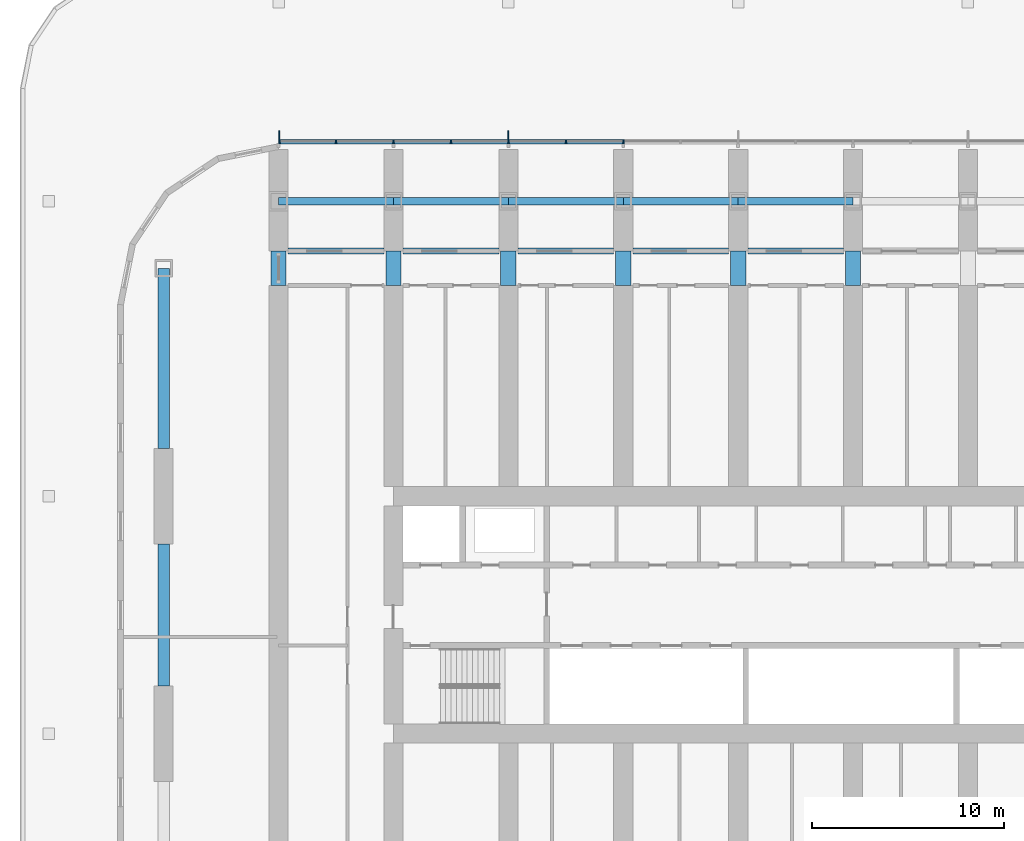
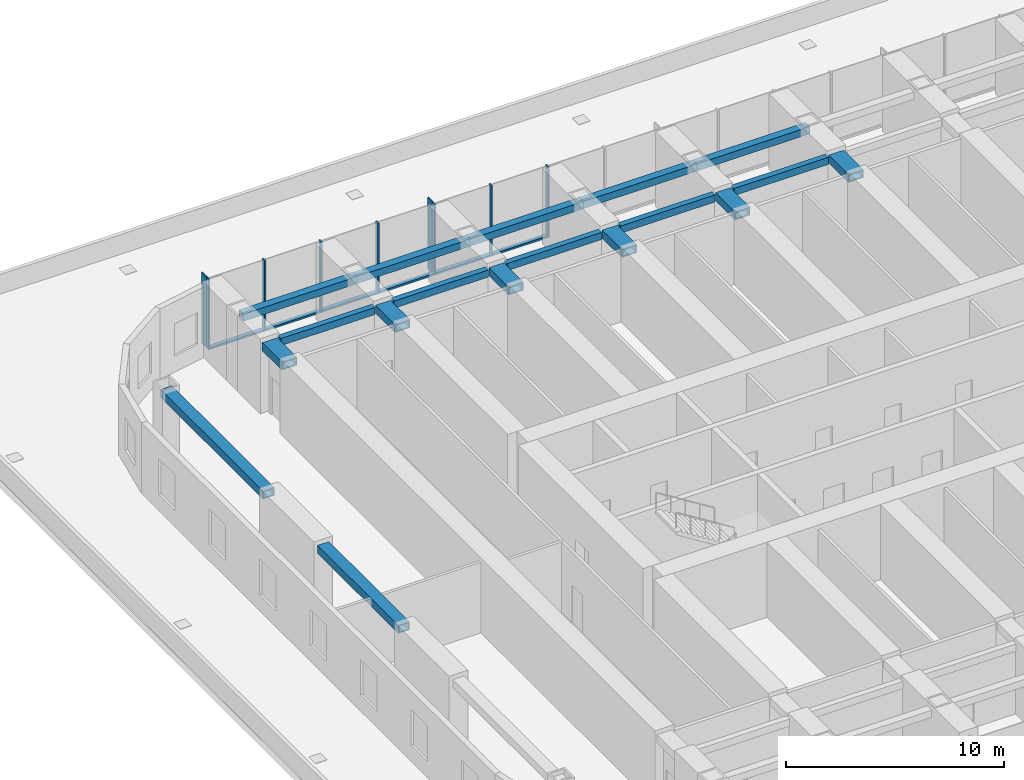
# One storey, part 4 of 23: 18 beams, 15 members, 1 element without a shape of its own.
"""IFC4 building model written with IfcOpenShell, lengths in metres."""

from ifc_helpers import new_model, si_unit, direction, frame, origin, origin_2d, place, context, subcontext, project, spatial, rectangle, hollow_rectangle, extrude, material, material_profile, profile_set, type_object, element, aggregate, save


model = new_model("IFC4")

# Units and contexts
model_context = context("Model", 3, precision=1e-05, world=origin(), true_north=direction((0.0, 1.0)))
body_context = subcontext(model_context, "Body", "Model", "MODEL_VIEW")
ifc_project = project(units=[si_unit("LENGTHUNIT", "METRE"), si_unit("AREAUNIT", "SQUARE_METRE"), si_unit("VOLUMEUNIT", "CUBIC_METRE"), si_unit("PLANEANGLEUNIT", "RADIAN"), si_unit("MASSUNIT", "GRAM", prefix="KILO")], contexts=[model_context])

# Site, building, storey
site_placement = place(None, origin())
site = spatial("IfcSite", under=ifc_project, at=site_placement, CompositionType="ELEMENT")
building_placement = place(site_placement, origin())
building = spatial("IfcBuilding", under=site, at=building_placement, Name="Orbita Commons", CompositionType="ELEMENT")
storey_placement = place(building_placement, frame((0.0, 0.0, 16.0)))
storey = spatial("IfcBuildingStorey", under=building, at=storey_placement, Name="L03", CompositionType="ELEMENT", Elevation=16.0)

# Curtain wall, members
ifc_material_1 = material(Name="Anodised aluminium frame, pale silver", Category="aluminium")
curtain_wall_type = type_object("IfcCurtainWallType", Name="Unitised curtain wall CW-S, full-height", PredefinedType="NOTDEFINED", material=ifc_material_1)
curtain_wall_placement = place(storey_placement, origin())
curtain_wall = element("IfcCurtainWall", 1, at=curtain_wall_placement, inside=storey, type_object=curtain_wall_type, Name="Curtain wall north L03", PredefinedType="NOTDEFINED")
ifc_material_2 = material(Name="Anodised aluminium, pale silver", Category="aluminium")
ifc_material_profile_1 = material_profile(ifc_material_2, rectangle(XDim=0.080078125, YDim=0.219970703125, at=origin_2d()), Name="AL 80x220")
ifc_profile_set_1 = profile_set([ifc_material_profile_1], Name="Anodised aluminium, pale silver")
member_type_1 = type_object("IfcMemberType", Name="Curtain wall mullion 80x220", PredefinedType="MULLION", material=ifc_profile_set_1)
member_1_placement = place(storey_placement, frame((30.0, 56.7099609375, 0.0), z_axis=(0.0, 0.0, 1.0), x_axis=(-1.0, 0.0, 0.0)))
member_1 = element("IfcMember", 2, at=member_1_placement, type_object=member_type_1, Name="Mullion 15 CW-L03-N", PredefinedType="MULLION", context=body_context, shape_type="SweptSolid", body=[
    extrude(rectangle(XDim=0.080078125, YDim=0.219970703125, at=origin_2d()), origin(), (0.0, 0.0, 1.0), 3.949951171875),
])
member_2_placement = place(storey_placement, frame((27.0, 56.7099609375, 0.0), z_axis=(0.0, 0.0, 1.0), x_axis=(-1.0, 0.0, 0.0)))
member_2 = element("IfcMember", 3, at=member_2_placement, type_object=member_type_1, Name="Mullion 16 CW-L03-N", PredefinedType="MULLION", context=body_context, shape_type="SweptSolid", body=[
    extrude(rectangle(XDim=0.080078125, YDim=0.219970703125, at=origin_2d()), origin(), (0.0, 0.0, 1.0), 3.949951171875),
])
member_3_placement = place(storey_placement, frame((24.0, 56.7099609375, 0.0), z_axis=(0.0, 0.0, 1.0), x_axis=(-1.0, 0.0, 0.0)))
member_3 = element("IfcMember", 4, at=member_3_placement, type_object=member_type_1, Name="Mullion 17 CW-L03-N", PredefinedType="MULLION", context=body_context, shape_type="SweptSolid", body=[
    extrude(rectangle(XDim=0.080078125, YDim=0.219970703125, at=origin_2d()), origin(), (0.0, 0.0, 1.0), 3.949951171875),
])
member_4_placement = place(storey_placement, frame((21.0, 56.7099609375, 0.0), z_axis=(0.0, 0.0, 1.0), x_axis=(-1.0, 0.0, 0.0)))
member_4 = element("IfcMember", 5, at=member_4_placement, type_object=member_type_1, Name="Mullion 18 CW-L03-N", PredefinedType="MULLION", context=body_context, shape_type="SweptSolid", body=[
    extrude(rectangle(XDim=0.080078125, YDim=0.219970703125, at=origin_2d()), origin(), (0.0, 0.0, 1.0), 3.949951171875),
])
member_5_placement = place(storey_placement, frame((18.0, 56.7099609375, 0.0), z_axis=(0.0, 0.0, 1.0), x_axis=(-1.0, 0.0, 0.0)))
member_5 = element("IfcMember", 6, at=member_5_placement, type_object=member_type_1, Name="Mullion 19 CW-L03-N", PredefinedType="MULLION", context=body_context, shape_type="SweptSolid", body=[
    extrude(rectangle(XDim=0.080078125, YDim=0.219970703125, at=origin_2d()), origin(), (0.0, 0.0, 1.0), 3.949951171875),
])
member_6_placement = place(storey_placement, frame((15.0, 56.7099609375, 0.0), z_axis=(0.0, 0.0, 1.0), x_axis=(-1.0, 0.0, 0.0)))
member_6 = element("IfcMember", 7, at=member_6_placement, type_object=member_type_1, Name="Mullion 20 CW-L03-N", PredefinedType="MULLION", context=body_context, shape_type="SweptSolid", body=[
    extrude(rectangle(XDim=0.080078125, YDim=0.219970703125, at=origin_2d()), origin(), (0.0, 0.0, 1.0), 3.949951171875),
])
member_7_placement = place(storey_placement, frame((12.0400390625, 56.7099609375, 0.0), z_axis=(0.0, 0.0, 1.0), x_axis=(-1.0, 0.0, 0.0)))
member_7 = element("IfcMember", 8, at=member_7_placement, type_object=member_type_1, Name="Mullion 21 CW-L03-N", PredefinedType="MULLION", context=body_context, shape_type="SweptSolid", body=[
    extrude(rectangle(XDim=0.080078125, YDim=0.219970703125, at=origin_2d()), origin(), (0.0, 0.0, 1.0), 3.949951171875),
])
ifc_material_3 = material(Name="Anodised aluminium, pale silver", Category="aluminium")
ifc_material_profile_2 = material_profile(ifc_material_3, rectangle(XDim=0.219970703125, YDim=0.10009765625, at=origin_2d()), Name="AL 220x100")
ifc_profile_set_2 = profile_set([ifc_material_profile_2], Name="Anodised aluminium, pale silver")
member_type_2 = type_object("IfcMemberType", Name="Curtain wall stack transom 220x100", PredefinedType="USERDEFINED", material=ifc_profile_set_2)
member_8_placement = place(storey_placement, frame((29.9599609375, 56.7099609375, 0.050048828125), z_axis=(-1.0, 0.0, 0.0), x_axis=(0.0, -1.0, 0.0)))
member_8 = element("IfcMember", 9, at=member_8_placement, type_object=member_type_2, Name="Transom 15.1 CW-L03-N", ObjectType="TRANSOM", PredefinedType="USERDEFINED", context=body_context, shape_type="SweptSolid", body=[
    extrude(rectangle(XDim=0.219970703125, YDim=0.10009765625, at=origin_2d()), origin(), (0.0, 0.0, 1.0), 2.919921875),
])
member_9_placement = place(storey_placement, frame((26.9599609375, 56.7099609375, 0.050048828125), z_axis=(-1.0, 0.0, 0.0), x_axis=(0.0, -1.0, 0.0)))
member_9 = element("IfcMember", 10, at=member_9_placement, type_object=member_type_2, Name="Transom 16.1 CW-L03-N", ObjectType="TRANSOM", PredefinedType="USERDEFINED", context=body_context, shape_type="SweptSolid", body=[
    extrude(rectangle(XDim=0.219970703125, YDim=0.10009765625, at=origin_2d()), origin(), (0.0, 0.0, 1.0), 2.919921875),
])
member_10_placement = place(storey_placement, frame((23.9599609375, 56.7099609375, 0.050048828125), z_axis=(-1.0, 0.0, 0.0), x_axis=(0.0, -1.0, 0.0)))
member_10 = element("IfcMember", 11, at=member_10_placement, type_object=member_type_2, Name="Transom 17.1 CW-L03-N", ObjectType="TRANSOM", PredefinedType="USERDEFINED", context=body_context, shape_type="SweptSolid", body=[
    extrude(rectangle(XDim=0.219970703125, YDim=0.10009765625, at=origin_2d()), origin(), (0.0, 0.0, 1.0), 2.919921875),
])
member_11_placement = place(storey_placement, frame((20.9599609375, 56.7099609375, 0.050048828125), z_axis=(-1.0, 0.0, 0.0), x_axis=(0.0, -1.0, 0.0)))
member_11 = element("IfcMember", 12, at=member_11_placement, type_object=member_type_2, Name="Transom 18.1 CW-L03-N", ObjectType="TRANSOM", PredefinedType="USERDEFINED", context=body_context, shape_type="SweptSolid", body=[
    extrude(rectangle(XDim=0.219970703125, YDim=0.10009765625, at=origin_2d()), origin(), (0.0, 0.0, 1.0), 2.919921875),
])
member_12_placement = place(storey_placement, frame((17.9599609375, 56.7099609375, 0.050048828125), z_axis=(-1.0, 0.0, 0.0), x_axis=(0.0, -1.0, 0.0)))
member_12 = element("IfcMember", 13, at=member_12_placement, type_object=member_type_2, Name="Transom 19.1 CW-L03-N", ObjectType="TRANSOM", PredefinedType="USERDEFINED", context=body_context, shape_type="SweptSolid", body=[
    extrude(rectangle(XDim=0.219970703125, YDim=0.10009765625, at=origin_2d()), origin(), (0.0, 0.0, 1.0), 2.919921875),
])
member_13_placement = place(storey_placement, frame((14.9599609375, 56.7099609375, 0.050048828125), z_axis=(-1.0, 0.0, 0.0), x_axis=(0.0, -1.0, 0.0)))
member_13 = element("IfcMember", 14, at=member_13_placement, type_object=member_type_2, Name="Transom 20.1 CW-L03-N", ObjectType="TRANSOM", PredefinedType="USERDEFINED", context=body_context, shape_type="SweptSolid", body=[
    extrude(rectangle(XDim=0.219970703125, YDim=0.10009765625, at=origin_2d()), origin(), (0.0, 0.0, 1.0), 2.8798828125),
])

# Beams
ifc_material_4 = material(Name="Steel ASTM A572 Gr 50 welded plate", Category="steel")
ifc_material_profile_3 = material_profile(ifc_material_4, hollow_rectangle(XDim=0.300048828125, YDim=0.39990234375, WallThickness=0.0400390625, at=origin_2d()), Name="BOX 400x300x40")
ifc_profile_set_3 = profile_set([ifc_material_profile_3], Name="Steel ASTM A572 Gr 50 welded plate")
beam_type_1 = type_object("IfcBeamType", Name="Steel corridor link BOX 400x300x40", PredefinedType="BEAM", material=ifc_profile_set_3)
for number, where, z_axis, x_axis, name in (
    (15, (12.5, 51.0, 3.75), (1.0, 0.0, 0.0), (0.0, 1.0, 0.0), "Corridor beam NB 3-4 L03"),
    (16, (18.5, 51.0, 3.75), (1.0, 0.0, 0.0), (0.0, 1.0, 0.0), "Corridor beam NB 4-5 L03"),
    (17, (24.5, 51.0, 3.75), (1.0, 0.0, 0.0), (0.0, 1.0, 0.0), "Corridor beam NB 5-6 L03"),
    (18, (30.5, 51.0, 3.75), (1.0, 0.0, 0.0), (0.0, 1.0, 0.0), "Corridor beam NB 6-7 L03"),
    (19, (36.5, 51.0, 3.75), (1.0, 0.0, 0.0), (0.0, 1.0, 0.0), "Corridor beam NB 7-8 L03"),
):
    element("IfcBeam", number, at=place(storey_placement, frame(where, z_axis=z_axis, x_axis=x_axis)), inside=storey, type_object=beam_type_1, Name=name, PredefinedType="BEAM", context=body_context, shape_type="SweptSolid", body=[
        extrude(hollow_rectangle(XDim=0.300048828125, YDim=0.39990234375, WallThickness=0.0400390625, at=origin_2d()), origin(), (0.0, 0.0, 1.0), 5.0),
    ])
ifc_material_5 = material(Name="Steel ASTM A572 Gr 50 welded plate", Category="steel")
ifc_material_profile_4 = material_profile(ifc_material_5, hollow_rectangle(XDim=0.800048828125, YDim=0.449951171875, WallThickness=0.06005859375, at=origin_2d()), Name="BOX 450x800x60")
ifc_profile_set_4 = profile_set([ifc_material_profile_4], Name="Steel ASTM A572 Gr 50 welded plate")
beam_type_2 = type_object("IfcBeamType", Name="Steel coupling link BOX 450x800x60", PredefinedType="LINTEL", material=ifc_profile_set_4)
for number, where, z_axis, x_axis, name in (
    (20, (12.0, 49.199951171875, 3.72509765625), (0.0, 1.0, 0.0), (-1.0, 0.0, 0.0), "Coupling beam 3 north L03"),
    (21, (18.0, 49.199951171875, 3.72509765625), (0.0, 1.0, 0.0), (-1.0, 0.0, 0.0), "Coupling beam 4 north L03"),
    (22, (24.0, 49.199951171875, 3.72509765625), (0.0, 1.0, 0.0), (-1.0, 0.0, 0.0), "Coupling beam 5 north L03"),
    (23, (30.0, 49.199951171875, 3.72509765625), (0.0, 1.0, 0.0), (-1.0, 0.0, 0.0), "Coupling beam 6 north L03"),
    (24, (36.0, 49.199951171875, 3.72509765625), (0.0, 1.0, 0.0), (-1.0, 0.0, 0.0), "Coupling beam 7 north L03"),
    (25, (42.0, 49.199951171875, 3.72509765625), (0.0, 1.0, 0.0), (-1.0, 0.0, 0.0), "Coupling beam 8 north L03"),
):
    element("IfcBeam", number, at=place(storey_placement, frame(where, z_axis=z_axis, x_axis=x_axis)), inside=storey, type_object=beam_type_2, Name=name, PredefinedType="LINTEL", context=body_context, shape_type="SweptSolid", body=[
        extrude(hollow_rectangle(XDim=0.800048828125, YDim=0.449951171875, WallThickness=0.06005859375, at=origin_2d()), origin(), (0.0, 0.0, 1.0), 1.800048828125),
    ])
ifc_material_6 = material(Name="Steel ASTM A572 Gr 50 welded plate", Category="steel")
ifc_material_profile_5 = material_profile(ifc_material_6, hollow_rectangle(XDim=0.60009765625, YDim=0.449951171875, WallThickness=0.06005859375, at=origin_2d()), Name="BOX 450x600x60")
ifc_profile_set_5 = profile_set([ifc_material_profile_5], Name="Steel ASTM A572 Gr 50 welded plate")
beam_type_3 = type_object("IfcBeamType", Name="Steel end frame link BOX 450x600x60", PredefinedType="BEAM", material=ifc_profile_set_5)
beam_1_placement = place(storey_placement, frame((6.0, 28.300048828125, 3.72509765625), z_axis=(0.0, 1.0, 0.0), x_axis=(-1.0, 0.0, 0.0)))
element("IfcBeam", 26, at=beam_1_placement, inside=storey, type_object=beam_type_3, Name="End frame beam 2 C-D L03", PredefinedType="BEAM", context=body_context, shape_type="SweptSolid", body=[
    extrude(hollow_rectangle(XDim=0.60009765625, YDim=0.449951171875, WallThickness=0.06005859375, at=origin_2d()), origin(), (0.0, 0.0, 1.0), 7.39990234375),
])
beam_2_placement = place(storey_placement, frame((6.0, 40.699951171875, 3.72509765625), z_axis=(0.0, 1.0, 0.0), x_axis=(-1.0, 0.0, 0.0)))
element("IfcBeam", 27, at=beam_2_placement, inside=storey, type_object=beam_type_3, Name="End frame beam 2 D-E L03", PredefinedType="BEAM", context=body_context, shape_type="SweptSolid", body=[
    extrude(hollow_rectangle(XDim=0.60009765625, YDim=0.449951171875, WallThickness=0.06005859375, at=origin_2d()), origin(), (0.0, 0.0, 1.0), 9.400146484375),
])
ifc_material_7 = material(Name="Steel ASTM A572 Gr 50 welded plate", Category="steel")
ifc_material_profile_6 = material_profile(ifc_material_7, hollow_rectangle(XDim=0.39990234375, YDim=0.39990234375, WallThickness=0.0400390625, at=origin_2d()), Name="BOX 400x400x40")
ifc_profile_set_6 = profile_set([ifc_material_profile_6], Name="Steel ASTM A572 Gr 50 welded plate")
beam_type_4 = type_object("IfcBeamType", Name="Steel spandrel BOX 400x400x40", PredefinedType="SPANDREL", material=ifc_profile_set_6)
for number, where, z_axis, x_axis, name in (
    (28, (12.0, 53.60009765625, 3.75), (1.0, 0.0, 0.0), (0.0, 1.0, 0.0), "Spandrel beam E 3-4 L03"),
    (29, (18.0, 53.60009765625, 3.75), (1.0, 0.0, 0.0), (0.0, 1.0, 0.0), "Spandrel beam E 4-5 L03"),
    (30, (24.0, 53.60009765625, 3.75), (1.0, 0.0, 0.0), (0.0, 1.0, 0.0), "Spandrel beam E 5-6 L03"),
    (31, (30.0, 53.60009765625, 3.75), (1.0, 0.0, 0.0), (0.0, 1.0, 0.0), "Spandrel beam E 6-7 L03"),
    (32, (36.0, 53.60009765625, 3.75), (1.0, 0.0, 0.0), (0.0, 1.0, 0.0), "Spandrel beam E 7-8 L03"),
):
    element("IfcBeam", number, at=place(storey_placement, frame(where, z_axis=z_axis, x_axis=x_axis)), inside=storey, type_object=beam_type_4, Name=name, PredefinedType="SPANDREL", context=body_context, shape_type="SweptSolid", body=[
        extrude(hollow_rectangle(XDim=0.39990234375, YDim=0.39990234375, WallThickness=0.0400390625, at=origin_2d()), origin(), (0.0, 0.0, 1.0), 6.0),
    ])

# Member
ifc_material_8 = material(Name="Anodised aluminium, pale silver", Category="aluminium")
ifc_material_profile_7 = material_profile(ifc_material_8, rectangle(XDim=0.06005859375, YDim=0.449951171875, at=origin_2d()), Name="FIN 60x450")
ifc_profile_set_7 = profile_set([ifc_material_profile_7], Name="Anodised aluminium, pale silver")
member_type_3 = type_object("IfcMemberType", Name="Vertical fin 60x450 pale aluminium", PredefinedType="USERDEFINED", material=ifc_profile_set_7)
member_14_placement = place(storey_placement, frame((24.0, 57.044921875, 0.0), z_axis=(0.0, 0.0, 1.0), x_axis=(-1.0, 0.0, 0.0)))
member_14 = element("IfcMember", 33, at=member_14_placement, type_object=member_type_3, Name="Fin 17 CW-L03-N", ObjectType="FIN", PredefinedType="USERDEFINED", context=body_context, shape_type="SweptSolid", body=[
    extrude(rectangle(XDim=0.06005859375, YDim=0.449951171875, at=origin_2d()), origin(), (0.0, 0.0, 1.0), 3.949951171875),
])

member_15_placement = place(storey_placement, frame((12.0400390625, 57.044921875, 0.0), z_axis=(0.0, 0.0, 1.0), x_axis=(-1.0, 0.0, 0.0)))
member_15 = element("IfcMember", 34, at=member_15_placement, type_object=member_type_3, Name="Fin 21 CW-L03-N", ObjectType="FIN", PredefinedType="USERDEFINED", context=body_context, shape_type="SweptSolid", body=[
    extrude(rectangle(XDim=0.06005859375, YDim=0.449951171875, at=origin_2d()), origin(), (0.0, 0.0, 1.0), 3.949951171875),
])

aggregate(curtain_wall, [member_1, member_2, member_3, member_14, member_4, member_5, member_6, member_7, member_15, member_8, member_9, member_10, member_11, member_12, member_13])

save(model, "model.ifc")
